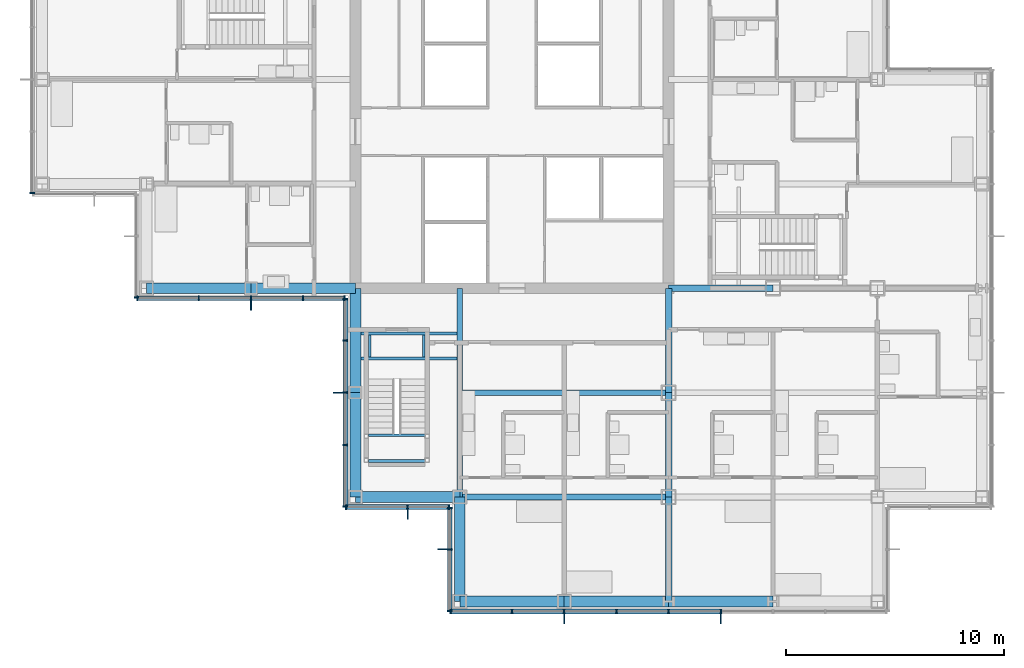
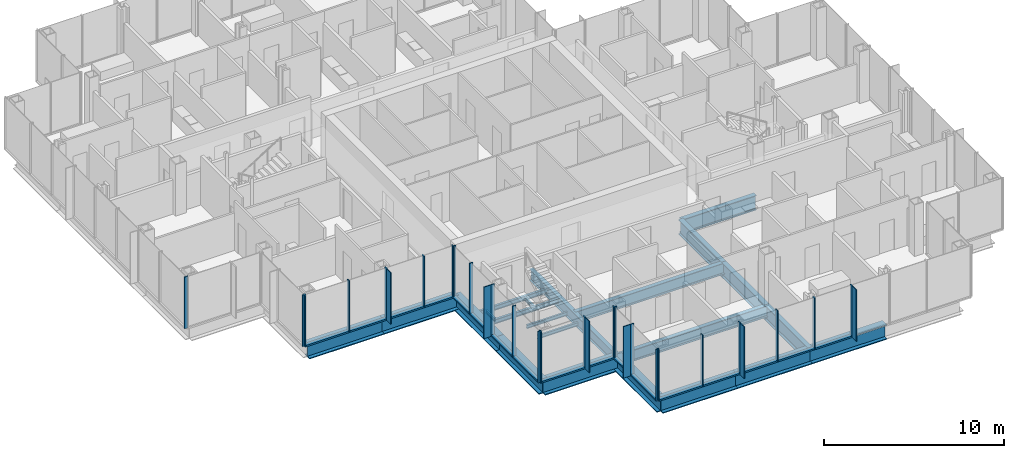
# One storey, part 6 of 19: 47 members, 22 beams, 7 elements without a shape of their own.
"""IFC4 building model written with IfcOpenShell, lengths in metres."""

from ifc_helpers import new_model, si_unit, direction, frame, origin, origin_2d, place, context, subcontext, project, spatial, rectangle, i_section, extrude, material, material_profile, profile_set, type_object, element, aggregate, save


model = new_model("IFC4")

# Units and contexts
model_context = context("Model", 3, precision=1e-05, world=origin(), true_north=direction((0.0, 1.0)))
body_context = subcontext(model_context, "Body", "Model", "MODEL_VIEW")
ifc_project = project(units=[si_unit("LENGTHUNIT", "METRE"), si_unit("AREAUNIT", "SQUARE_METRE"), si_unit("VOLUMEUNIT", "CUBIC_METRE"), si_unit("PLANEANGLEUNIT", "RADIAN"), si_unit("MASSUNIT", "GRAM", prefix="KILO")], contexts=[model_context])

# Site, building, storey
site_placement = place(None, origin())
site = spatial("IfcSite", under=ifc_project, at=site_placement, CompositionType="ELEMENT")
building_placement = place(site_placement, origin())
building = spatial("IfcBuilding", under=site, at=building_placement, Name="Kvirike Care Tower", CompositionType="ELEMENT")
storey_placement = place(building_placement, frame((0.0, 0.0, 87.5)))
storey = spatial("IfcBuildingStorey", under=building, at=storey_placement, Name="L23", CompositionType="ELEMENT", Elevation=87.5)

# Curtain wall, member
ifc_material_1 = material(Name="Anodised aluminium stick system", Category="aluminium")
curtain_wall_type = type_object("IfcCurtainWallType", Name="CW-B STICK CURTAIN WALL", PredefinedType="NOTDEFINED", material=ifc_material_1)
curtain_wall_1_placement = place(storey_placement, origin())
curtain_wall_1 = element("IfcCurtainWall", 1, at=curtain_wall_1_placement, inside=storey, type_object=curtain_wall_type, Name="Curtain wall L23 face 14", PredefinedType="NOTDEFINED")
ifc_material_2 = material(Name="Bronze anodised aluminium fin", Category="aluminium")
ifc_material_profile_1 = material_profile(ifc_material_2, rectangle(XDim=0.050048828125, YDim=0.449951171875, at=origin_2d()), Name="BRONZE FIN 450")
ifc_profile_set_1 = profile_set([ifc_material_profile_1], Name="Bronze anodised aluminium fin")
member_type_1 = type_object("IfcMemberType", Name="BRONZE FIN 450", PredefinedType="USERDEFINED", material=ifc_profile_set_1)
member_1_placement = place(storey_placement, frame((9.60009765625, 28.0048828125, 0.0), z_axis=(0.0, 0.0, 1.0), x_axis=(1.0, 0.0, 0.0)))
member_1 = element("IfcMember", 2, at=member_1_placement, type_object=member_type_1, Name="Bronze fin L23 face 14.3", ObjectType="FIN", PredefinedType="USERDEFINED", context=body_context, shape_type="SweptSolid", body=[
    extrude(rectangle(XDim=0.050048828125, YDim=0.449951171875, at=origin_2d()), origin(), (0.0, 0.0, 1.0), 3.5),
])

curtain_wall_2_placement = place(storey_placement, origin())
curtain_wall_2 = element("IfcCurtainWall", 3, at=curtain_wall_2_placement, inside=storey, type_object=curtain_wall_type, Name="Curtain wall L23 face 15", PredefinedType="NOTDEFINED")
member_2_placement = place(storey_placement, frame((13.60498046875, 24.0, 0.0), z_axis=(0.0, 0.0, 1.0), x_axis=(0.0, -1.0, 0.0)))
member_2 = element("IfcMember", 4, at=member_2_placement, type_object=member_type_1, Name="Bronze fin L23 face 15.3", ObjectType="FIN", PredefinedType="USERDEFINED", context=body_context, shape_type="SweptSolid", body=[
    extrude(rectangle(XDim=0.050048828125, YDim=0.449951171875, at=origin_2d()), origin(), (0.0, 0.0, 1.0), 3.5),
])

curtain_wall_3_placement = place(storey_placement, origin())
curtain_wall_3 = element("IfcCurtainWall", 5, at=curtain_wall_3_placement, inside=storey, type_object=curtain_wall_type, Name="Curtain wall L23 face 16", PredefinedType="NOTDEFINED")
member_3_placement = place(storey_placement, frame((16.800048828125, 18.405029296875, 0.0), z_axis=(0.0, 0.0, 1.0), x_axis=(1.0, 0.0, 0.0)))
member_3 = element("IfcMember", 6, at=member_3_placement, type_object=member_type_1, Name="Bronze fin L23 face 16.2", ObjectType="FIN", PredefinedType="USERDEFINED", context=body_context, shape_type="SweptSolid", body=[
    extrude(rectangle(XDim=0.050048828125, YDim=0.449951171875, at=origin_2d()), origin(), (0.0, 0.0, 1.0), 3.5),
])

curtain_wall_4_placement = place(storey_placement, origin())
curtain_wall_4 = element("IfcCurtainWall", 7, at=curtain_wall_4_placement, inside=storey, type_object=curtain_wall_type, Name="Curtain wall L23 face 17", PredefinedType="NOTDEFINED")
member_4_placement = place(storey_placement, frame((18.405029296875, 16.800048828125, 0.0), z_axis=(0.0, 0.0, 1.0), x_axis=(0.0, -1.0, 0.0)))
member_4 = element("IfcMember", 8, at=member_4_placement, type_object=member_type_1, Name="Bronze fin L23 face 17.2", ObjectType="FIN", PredefinedType="USERDEFINED", context=body_context, shape_type="SweptSolid", body=[
    extrude(rectangle(XDim=0.050048828125, YDim=0.449951171875, at=origin_2d()), origin(), (0.0, 0.0, 1.0), 3.5),
])

# Curtain wall, members
curtain_wall_5_placement = place(storey_placement, origin())
curtain_wall_5 = element("IfcCurtainWall", 9, at=curtain_wall_5_placement, inside=storey, type_object=curtain_wall_type, Name="Curtain wall L23 face 18", PredefinedType="NOTDEFINED")
member_5_placement = place(storey_placement, frame((24.0, 13.60498046875, 0.0), z_axis=(0.0, 0.0, 1.0), x_axis=(1.0, 0.0, 0.0)))
member_5 = element("IfcMember", 10, at=member_5_placement, type_object=member_type_1, Name="Bronze fin L23 face 18.3", ObjectType="FIN", PredefinedType="USERDEFINED", context=body_context, shape_type="SweptSolid", body=[
    extrude(rectangle(XDim=0.050048828125, YDim=0.449951171875, at=origin_2d()), origin(), (0.0, 0.0, 1.0), 3.5),
])
member_6_placement = place(storey_placement, frame((31.199951171875, 13.60498046875, 0.0), z_axis=(0.0, 0.0, 1.0), x_axis=(1.0, 0.0, 0.0)))
member_6 = element("IfcMember", 11, at=member_6_placement, type_object=member_type_1, Name="Bronze fin L23 face 18.6", ObjectType="FIN", PredefinedType="USERDEFINED", context=body_context, shape_type="SweptSolid", body=[
    extrude(rectangle(XDim=0.050048828125, YDim=0.449951171875, at=origin_2d()), origin(), (0.0, 0.0, 1.0), 3.5),
])

# Curtain wall, member
curtain_wall_6_placement = place(storey_placement, origin())
curtain_wall_6 = element("IfcCurtainWall", 12, at=curtain_wall_6_placement, inside=storey, type_object=curtain_wall_type, Name="Curtain wall L23 face 11", PredefinedType="NOTDEFINED")
ifc_material_3 = material(Name="Bronze anodised aluminium mullion", Category="aluminium")
ifc_material_profile_2 = material_profile(ifc_material_3, rectangle(XDim=0.06494140625, YDim=0.219970703125, at=origin_2d()), Name="CW-B MULLION 65x220")
ifc_profile_set_2 = profile_set([ifc_material_profile_2], Name="Bronze anodised aluminium mullion")
member_type_2 = type_object("IfcMemberType", Name="CW-B MULLION 65x220", PredefinedType="MULLION", material=ifc_profile_set_2)
member_7_placement = place(storey_placement, frame((-0.4599609375, 33.172607421875, 0.0), z_axis=(0.0, 0.0, 1.0), x_axis=(0.0, -1.0, 0.0)))
member_7 = element("IfcMember", 13, at=member_7_placement, type_object=member_type_2, Name="CW-B mullion L23 face 11.9", PredefinedType="MULLION", context=body_context, shape_type="SweptSolid", body=[
    extrude(rectangle(XDim=0.06494140625, YDim=0.219970703125, at=origin_2d()), origin(), (0.0, 0.0, 1.0), 3.5),
])
aggregate(curtain_wall_6, [member_7])

curtain_wall_7_placement = place(storey_placement, origin())
curtain_wall_7 = element("IfcCurtainWall", 14, at=curtain_wall_7_placement, inside=storey, type_object=curtain_wall_type, Name="Curtain wall L23 face 13", PredefinedType="NOTDEFINED")
member_8_placement = place(storey_placement, frame((4.340087890625, 28.37255859375, 0.0), z_axis=(0.0, 0.0, 1.0), x_axis=(0.0, -1.0, 0.0)))
member_8 = element("IfcMember", 15, at=member_8_placement, type_object=member_type_2, Name="CW-B mullion L23 face 13.3", PredefinedType="MULLION", context=body_context, shape_type="SweptSolid", body=[
    extrude(rectangle(XDim=0.06494140625, YDim=0.219970703125, at=origin_2d()), origin(), (0.0, 0.0, 1.0), 3.5),
])
aggregate(curtain_wall_7, [member_8])

# Member
member_9_placement = place(storey_placement, frame((4.37255859375, 28.340087890625, 0.0), z_axis=(0.0, 0.0, 1.0), x_axis=(1.0, 0.0, 0.0)))
member_9 = element("IfcMember", 16, at=member_9_placement, type_object=member_type_2, Name="CW-B mullion L23 face 14.1", PredefinedType="MULLION", context=body_context, shape_type="SweptSolid", body=[
    extrude(rectangle(XDim=0.06494140625, YDim=0.219970703125, at=origin_2d()), origin(), (0.0, 0.0, 1.0), 3.5),
])

member_10_placement = place(storey_placement, frame((7.199951171875, 28.340087890625, 0.0), z_axis=(0.0, 0.0, 1.0), x_axis=(1.0, 0.0, 0.0)))
member_10 = element("IfcMember", 17, at=member_10_placement, type_object=member_type_2, Name="CW-B mullion L23 face 14.2", PredefinedType="MULLION", context=body_context, shape_type="SweptSolid", body=[
    extrude(rectangle(XDim=0.06494140625, YDim=0.219970703125, at=origin_2d()), origin(), (0.0, 0.0, 1.0), 3.5),
])

member_11_placement = place(storey_placement, frame((9.60009765625, 28.340087890625, 0.0), z_axis=(0.0, 0.0, 1.0), x_axis=(1.0, 0.0, 0.0)))
member_11 = element("IfcMember", 18, at=member_11_placement, type_object=member_type_2, Name="CW-B mullion L23 face 14.3", PredefinedType="MULLION", context=body_context, shape_type="SweptSolid", body=[
    extrude(rectangle(XDim=0.06494140625, YDim=0.219970703125, at=origin_2d()), origin(), (0.0, 0.0, 1.0), 3.5),
])

member_12_placement = place(storey_placement, frame((12.0, 28.340087890625, 0.0), z_axis=(0.0, 0.0, 1.0), x_axis=(1.0, 0.0, 0.0)))
member_12 = element("IfcMember", 19, at=member_12_placement, type_object=member_type_2, Name="CW-B mullion L23 face 14.4", PredefinedType="MULLION", context=body_context, shape_type="SweptSolid", body=[
    extrude(rectangle(XDim=0.06494140625, YDim=0.219970703125, at=origin_2d()), origin(), (0.0, 0.0, 1.0), 3.5),
])

member_13_placement = place(storey_placement, frame((13.907470703125, 28.340087890625, 0.0), z_axis=(0.0, 0.0, 1.0), x_axis=(1.0, 0.0, 0.0)))
member_13 = element("IfcMember", 20, at=member_13_placement, type_object=member_type_2, Name="CW-B mullion L23 face 14.5", PredefinedType="MULLION", context=body_context, shape_type="SweptSolid", body=[
    extrude(rectangle(XDim=0.06494140625, YDim=0.219970703125, at=origin_2d()), origin(), (0.0, 0.0, 1.0), 3.5),
])

member_14_placement = place(storey_placement, frame((13.93994140625, 28.3076171875, 0.0), z_axis=(0.0, 0.0, 1.0), x_axis=(0.0, -1.0, 0.0)))
member_14 = element("IfcMember", 21, at=member_14_placement, type_object=member_type_2, Name="CW-B mullion L23 face 15.1", PredefinedType="MULLION", context=body_context, shape_type="SweptSolid", body=[
    extrude(rectangle(XDim=0.06494140625, YDim=0.219970703125, at=origin_2d()), origin(), (0.0, 0.0, 1.0), 3.5),
])

member_15_placement = place(storey_placement, frame((13.93994140625, 26.39990234375, 0.0), z_axis=(0.0, 0.0, 1.0), x_axis=(0.0, -1.0, 0.0)))
member_15 = element("IfcMember", 22, at=member_15_placement, type_object=member_type_2, Name="CW-B mullion L23 face 15.2", PredefinedType="MULLION", context=body_context, shape_type="SweptSolid", body=[
    extrude(rectangle(XDim=0.06494140625, YDim=0.219970703125, at=origin_2d()), origin(), (0.0, 0.0, 1.0), 3.5),
])

member_16_placement = place(storey_placement, frame((13.93994140625, 24.0, 0.0), z_axis=(0.0, 0.0, 1.0), x_axis=(0.0, -1.0, 0.0)))
member_16 = element("IfcMember", 23, at=member_16_placement, type_object=member_type_2, Name="CW-B mullion L23 face 15.3", PredefinedType="MULLION", context=body_context, shape_type="SweptSolid", body=[
    extrude(rectangle(XDim=0.06494140625, YDim=0.219970703125, at=origin_2d()), origin(), (0.0, 0.0, 1.0), 3.5),
])

member_17_placement = place(storey_placement, frame((13.93994140625, 21.60009765625, 0.0), z_axis=(0.0, 0.0, 1.0), x_axis=(0.0, -1.0, 0.0)))
member_17 = element("IfcMember", 24, at=member_17_placement, type_object=member_type_2, Name="CW-B mullion L23 face 15.4", PredefinedType="MULLION", context=body_context, shape_type="SweptSolid", body=[
    extrude(rectangle(XDim=0.06494140625, YDim=0.219970703125, at=origin_2d()), origin(), (0.0, 0.0, 1.0), 3.5),
])

member_18_placement = place(storey_placement, frame((13.93994140625, 18.7724609375, 0.0), z_axis=(0.0, 0.0, 1.0), x_axis=(0.0, -1.0, 0.0)))
member_18 = element("IfcMember", 25, at=member_18_placement, type_object=member_type_2, Name="CW-B mullion L23 face 15.5", PredefinedType="MULLION", context=body_context, shape_type="SweptSolid", body=[
    extrude(rectangle(XDim=0.06494140625, YDim=0.219970703125, at=origin_2d()), origin(), (0.0, 0.0, 1.0), 3.5),
])

member_19_placement = place(storey_placement, frame((13.972412109375, 18.739990234375, 0.0), z_axis=(0.0, 0.0, 1.0), x_axis=(1.0, 0.0, 0.0)))
member_19 = element("IfcMember", 26, at=member_19_placement, type_object=member_type_2, Name="CW-B mullion L23 face 16.1", PredefinedType="MULLION", context=body_context, shape_type="SweptSolid", body=[
    extrude(rectangle(XDim=0.06494140625, YDim=0.219970703125, at=origin_2d()), origin(), (0.0, 0.0, 1.0), 3.5),
])

member_20_placement = place(storey_placement, frame((16.800048828125, 18.739990234375, 0.0), z_axis=(0.0, 0.0, 1.0), x_axis=(1.0, 0.0, 0.0)))
member_20 = element("IfcMember", 27, at=member_20_placement, type_object=member_type_2, Name="CW-B mullion L23 face 16.2", PredefinedType="MULLION", context=body_context, shape_type="SweptSolid", body=[
    extrude(rectangle(XDim=0.06494140625, YDim=0.219970703125, at=origin_2d()), origin(), (0.0, 0.0, 1.0), 3.5),
])

member_21_placement = place(storey_placement, frame((18.70751953125, 18.739990234375, 0.0), z_axis=(0.0, 0.0, 1.0), x_axis=(1.0, 0.0, 0.0)))
member_21 = element("IfcMember", 28, at=member_21_placement, type_object=member_type_2, Name="CW-B mullion L23 face 16.3", PredefinedType="MULLION", context=body_context, shape_type="SweptSolid", body=[
    extrude(rectangle(XDim=0.06494140625, YDim=0.219970703125, at=origin_2d()), origin(), (0.0, 0.0, 1.0), 3.5),
])

member_22_placement = place(storey_placement, frame((18.739990234375, 18.70751953125, 0.0), z_axis=(0.0, 0.0, 1.0), x_axis=(0.0, -1.0, 0.0)))
member_22 = element("IfcMember", 29, at=member_22_placement, type_object=member_type_2, Name="CW-B mullion L23 face 17.1", PredefinedType="MULLION", context=body_context, shape_type="SweptSolid", body=[
    extrude(rectangle(XDim=0.06494140625, YDim=0.219970703125, at=origin_2d()), origin(), (0.0, 0.0, 1.0), 3.5),
])

member_23_placement = place(storey_placement, frame((18.739990234375, 16.800048828125, 0.0), z_axis=(0.0, 0.0, 1.0), x_axis=(0.0, -1.0, 0.0)))
member_23 = element("IfcMember", 30, at=member_23_placement, type_object=member_type_2, Name="CW-B mullion L23 face 17.2", PredefinedType="MULLION", context=body_context, shape_type="SweptSolid", body=[
    extrude(rectangle(XDim=0.06494140625, YDim=0.219970703125, at=origin_2d()), origin(), (0.0, 0.0, 1.0), 3.5),
])

member_24_placement = place(storey_placement, frame((18.739990234375, 13.972412109375, 0.0), z_axis=(0.0, 0.0, 1.0), x_axis=(0.0, -1.0, 0.0)))
member_24 = element("IfcMember", 31, at=member_24_placement, type_object=member_type_2, Name="CW-B mullion L23 face 17.3", PredefinedType="MULLION", context=body_context, shape_type="SweptSolid", body=[
    extrude(rectangle(XDim=0.06494140625, YDim=0.219970703125, at=origin_2d()), origin(), (0.0, 0.0, 1.0), 3.5),
])

member_25_placement = place(storey_placement, frame((18.7724609375, 13.93994140625, 0.0), z_axis=(0.0, 0.0, 1.0), x_axis=(1.0, 0.0, 0.0)))
member_25 = element("IfcMember", 32, at=member_25_placement, type_object=member_type_2, Name="CW-B mullion L23 face 18.1", PredefinedType="MULLION", context=body_context, shape_type="SweptSolid", body=[
    extrude(rectangle(XDim=0.06494140625, YDim=0.219970703125, at=origin_2d()), origin(), (0.0, 0.0, 1.0), 3.5),
])

member_26_placement = place(storey_placement, frame((21.60009765625, 13.93994140625, 0.0), z_axis=(0.0, 0.0, 1.0), x_axis=(1.0, 0.0, 0.0)))
member_26 = element("IfcMember", 33, at=member_26_placement, type_object=member_type_2, Name="CW-B mullion L23 face 18.2", PredefinedType="MULLION", context=body_context, shape_type="SweptSolid", body=[
    extrude(rectangle(XDim=0.06494140625, YDim=0.219970703125, at=origin_2d()), origin(), (0.0, 0.0, 1.0), 3.5),
])

member_27_placement = place(storey_placement, frame((24.0, 13.93994140625, 0.0), z_axis=(0.0, 0.0, 1.0), x_axis=(1.0, 0.0, 0.0)))
member_27 = element("IfcMember", 34, at=member_27_placement, type_object=member_type_2, Name="CW-B mullion L23 face 18.3", PredefinedType="MULLION", context=body_context, shape_type="SweptSolid", body=[
    extrude(rectangle(XDim=0.06494140625, YDim=0.219970703125, at=origin_2d()), origin(), (0.0, 0.0, 1.0), 3.5),
])

member_28_placement = place(storey_placement, frame((26.39990234375, 13.93994140625, 0.0), z_axis=(0.0, 0.0, 1.0), x_axis=(1.0, 0.0, 0.0)))
member_28 = element("IfcMember", 35, at=member_28_placement, type_object=member_type_2, Name="CW-B mullion L23 face 18.4", PredefinedType="MULLION", context=body_context, shape_type="SweptSolid", body=[
    extrude(rectangle(XDim=0.06494140625, YDim=0.219970703125, at=origin_2d()), origin(), (0.0, 0.0, 1.0), 3.5),
])

member_29_placement = place(storey_placement, frame((28.800048828125, 13.93994140625, 0.0), z_axis=(0.0, 0.0, 1.0), x_axis=(1.0, 0.0, 0.0)))
member_29 = element("IfcMember", 36, at=member_29_placement, type_object=member_type_2, Name="CW-B mullion L23 face 18.5", PredefinedType="MULLION", context=body_context, shape_type="SweptSolid", body=[
    extrude(rectangle(XDim=0.06494140625, YDim=0.219970703125, at=origin_2d()), origin(), (0.0, 0.0, 1.0), 3.5),
])

member_30_placement = place(storey_placement, frame((31.199951171875, 13.93994140625, 0.0), z_axis=(0.0, 0.0, 1.0), x_axis=(1.0, 0.0, 0.0)))
member_30 = element("IfcMember", 37, at=member_30_placement, type_object=member_type_2, Name="CW-B mullion L23 face 18.6", PredefinedType="MULLION", context=body_context, shape_type="SweptSolid", body=[
    extrude(rectangle(XDim=0.06494140625, YDim=0.219970703125, at=origin_2d()), origin(), (0.0, 0.0, 1.0), 3.5),
])

ifc_material_4 = material(Name="Bronze anodised aluminium transom", Category="aluminium")
ifc_material_profile_3 = material_profile(ifc_material_4, rectangle(XDim=0.219970703125, YDim=0.10009765625, at=origin_2d()), Name="CW-B TRANSOM 220x100")
ifc_profile_set_3 = profile_set([ifc_material_profile_3], Name="Bronze anodised aluminium transom")
member_type_3 = type_object("IfcMemberType", Name="CW-B TRANSOM 220x100", PredefinedType="USERDEFINED", material=ifc_profile_set_3)
member_31_placement = place(storey_placement, frame((4.405029296875, 28.340087890625, 0.050048828125), z_axis=(1.0, 0.0, 0.0), x_axis=(0.0, 1.0, 0.0)))
member_31 = element("IfcMember", 38, at=member_31_placement, type_object=member_type_3, Name="CW-B sill transom L23 face 14.1", ObjectType="TRANSOM", PredefinedType="USERDEFINED", context=body_context, shape_type="SweptSolid", body=[
    extrude(rectangle(XDim=0.219970703125, YDim=0.10009765625, at=origin_2d()), origin(), (0.0, 0.0, 1.0), 2.762451171875),
])

member_32_placement = place(storey_placement, frame((7.232421875, 28.340087890625, 0.050048828125), z_axis=(1.0, 0.0, 0.0), x_axis=(0.0, 1.0, 0.0)))
member_32 = element("IfcMember", 39, at=member_32_placement, type_object=member_type_3, Name="CW-B sill transom L23 face 14.2", ObjectType="TRANSOM", PredefinedType="USERDEFINED", context=body_context, shape_type="SweptSolid", body=[
    extrude(rectangle(XDim=0.219970703125, YDim=0.10009765625, at=origin_2d()), origin(), (0.0, 0.0, 1.0), 2.3349609375),
])

member_33_placement = place(storey_placement, frame((9.632568359375, 28.340087890625, 0.050048828125), z_axis=(1.0, 0.0, 0.0), x_axis=(0.0, 1.0, 0.0)))
member_33 = element("IfcMember", 40, at=member_33_placement, type_object=member_type_3, Name="CW-B sill transom L23 face 14.3", ObjectType="TRANSOM", PredefinedType="USERDEFINED", context=body_context, shape_type="SweptSolid", body=[
    extrude(rectangle(XDim=0.219970703125, YDim=0.10009765625, at=origin_2d()), origin(), (0.0, 0.0, 1.0), 2.3349609375),
])

member_34_placement = place(storey_placement, frame((12.032470703125, 28.340087890625, 0.050048828125), z_axis=(1.0, 0.0, 0.0), x_axis=(0.0, 1.0, 0.0)))
member_34 = element("IfcMember", 41, at=member_34_placement, type_object=member_type_3, Name="CW-B sill transom L23 face 14.4", ObjectType="TRANSOM", PredefinedType="USERDEFINED", context=body_context, shape_type="SweptSolid", body=[
    extrude(rectangle(XDim=0.219970703125, YDim=0.10009765625, at=origin_2d()), origin(), (0.0, 0.0, 1.0), 1.842529296875),
])

aggregate(curtain_wall_1, [member_9, member_10, member_11, member_1, member_12, member_13, member_31, member_32, member_33, member_34])

member_35_placement = place(storey_placement, frame((13.93994140625, 28.27490234375, 0.050048828125), z_axis=(0.0, -1.0, 0.0), x_axis=(1.0, 0.0, 0.0)))
member_35 = element("IfcMember", 42, at=member_35_placement, type_object=member_type_3, Name="CW-B sill transom L23 face 15.1", ObjectType="TRANSOM", PredefinedType="USERDEFINED", context=body_context, shape_type="SweptSolid", body=[
    extrude(rectangle(XDim=0.219970703125, YDim=0.10009765625, at=origin_2d()), origin(), (0.0, 0.0, 1.0), 1.84228515625),
])

member_36_placement = place(storey_placement, frame((13.93994140625, 26.367431640625, 0.050048828125), z_axis=(0.0, -1.0, 0.0), x_axis=(1.0, 0.0, 0.0)))
member_36 = element("IfcMember", 43, at=member_36_placement, type_object=member_type_3, Name="CW-B sill transom L23 face 15.2", ObjectType="TRANSOM", PredefinedType="USERDEFINED", context=body_context, shape_type="SweptSolid", body=[
    extrude(rectangle(XDim=0.219970703125, YDim=0.10009765625, at=origin_2d()), origin(), (0.0, 0.0, 1.0), 2.3349609375),
])

member_37_placement = place(storey_placement, frame((13.93994140625, 23.967529296875, 0.050048828125), z_axis=(0.0, -1.0, 0.0), x_axis=(1.0, 0.0, 0.0)))
member_37 = element("IfcMember", 44, at=member_37_placement, type_object=member_type_3, Name="CW-B sill transom L23 face 15.3", ObjectType="TRANSOM", PredefinedType="USERDEFINED", context=body_context, shape_type="SweptSolid", body=[
    extrude(rectangle(XDim=0.219970703125, YDim=0.10009765625, at=origin_2d()), origin(), (0.0, 0.0, 1.0), 2.3349609375),
])

member_38_placement = place(storey_placement, frame((13.93994140625, 21.5673828125, 0.050048828125), z_axis=(0.0, -1.0, 0.0), x_axis=(1.0, 0.0, 0.0)))
member_38 = element("IfcMember", 45, at=member_38_placement, type_object=member_type_3, Name="CW-B sill transom L23 face 15.4", ObjectType="TRANSOM", PredefinedType="USERDEFINED", context=body_context, shape_type="SweptSolid", body=[
    extrude(rectangle(XDim=0.219970703125, YDim=0.10009765625, at=origin_2d()), origin(), (0.0, 0.0, 1.0), 2.762451171875),
])

aggregate(curtain_wall_2, [member_14, member_15, member_16, member_2, member_17, member_18, member_35, member_36, member_37, member_38])

member_39_placement = place(storey_placement, frame((14.0048828125, 18.739990234375, 0.050048828125), z_axis=(1.0, 0.0, 0.0), x_axis=(0.0, 1.0, 0.0)))
member_39 = element("IfcMember", 46, at=member_39_placement, type_object=member_type_3, Name="CW-B sill transom L23 face 16.1", ObjectType="TRANSOM", PredefinedType="USERDEFINED", context=body_context, shape_type="SweptSolid", body=[
    extrude(rectangle(XDim=0.219970703125, YDim=0.10009765625, at=origin_2d()), origin(), (0.0, 0.0, 1.0), 2.7626953125),
])

member_40_placement = place(storey_placement, frame((16.83251953125, 18.739990234375, 0.050048828125), z_axis=(1.0, 0.0, 0.0), x_axis=(0.0, 1.0, 0.0)))
member_40 = element("IfcMember", 47, at=member_40_placement, type_object=member_type_3, Name="CW-B sill transom L23 face 16.2", ObjectType="TRANSOM", PredefinedType="USERDEFINED", context=body_context, shape_type="SweptSolid", body=[
    extrude(rectangle(XDim=0.219970703125, YDim=0.10009765625, at=origin_2d()), origin(), (0.0, 0.0, 1.0), 1.842529296875),
])

aggregate(curtain_wall_3, [member_19, member_20, member_3, member_21, member_39, member_40])

member_41_placement = place(storey_placement, frame((18.739990234375, 18.675048828125, 0.050048828125), z_axis=(0.0, -1.0, 0.0), x_axis=(1.0, 0.0, 0.0)))
member_41 = element("IfcMember", 48, at=member_41_placement, type_object=member_type_3, Name="CW-B sill transom L23 face 17.1", ObjectType="TRANSOM", PredefinedType="USERDEFINED", context=body_context, shape_type="SweptSolid", body=[
    extrude(rectangle(XDim=0.219970703125, YDim=0.10009765625, at=origin_2d()), origin(), (0.0, 0.0, 1.0), 1.842529296875),
])

member_42_placement = place(storey_placement, frame((18.739990234375, 16.767578125, 0.050048828125), z_axis=(0.0, -1.0, 0.0), x_axis=(1.0, 0.0, 0.0)))
member_42 = element("IfcMember", 49, at=member_42_placement, type_object=member_type_3, Name="CW-B sill transom L23 face 17.2", ObjectType="TRANSOM", PredefinedType="USERDEFINED", context=body_context, shape_type="SweptSolid", body=[
    extrude(rectangle(XDim=0.219970703125, YDim=0.10009765625, at=origin_2d()), origin(), (0.0, 0.0, 1.0), 2.7626953125),
])

aggregate(curtain_wall_4, [member_22, member_23, member_4, member_24, member_41, member_42])

member_43_placement = place(storey_placement, frame((18.804931640625, 13.93994140625, 0.050048828125), z_axis=(1.0, 0.0, 0.0), x_axis=(0.0, 1.0, 0.0)))
member_43 = element("IfcMember", 50, at=member_43_placement, type_object=member_type_3, Name="CW-B sill transom L23 face 18.1", ObjectType="TRANSOM", PredefinedType="USERDEFINED", context=body_context, shape_type="SweptSolid", body=[
    extrude(rectangle(XDim=0.219970703125, YDim=0.10009765625, at=origin_2d()), origin(), (0.0, 0.0, 1.0), 2.762451171875),
])

member_44_placement = place(storey_placement, frame((21.632568359375, 13.93994140625, 0.050048828125), z_axis=(1.0, 0.0, 0.0), x_axis=(0.0, 1.0, 0.0)))
member_44 = element("IfcMember", 51, at=member_44_placement, type_object=member_type_3, Name="CW-B sill transom L23 face 18.2", ObjectType="TRANSOM", PredefinedType="USERDEFINED", context=body_context, shape_type="SweptSolid", body=[
    extrude(rectangle(XDim=0.219970703125, YDim=0.10009765625, at=origin_2d()), origin(), (0.0, 0.0, 1.0), 2.3349609375),
])

member_45_placement = place(storey_placement, frame((24.032470703125, 13.93994140625, 0.050048828125), z_axis=(1.0, 0.0, 0.0), x_axis=(0.0, 1.0, 0.0)))
member_45 = element("IfcMember", 52, at=member_45_placement, type_object=member_type_3, Name="CW-B sill transom L23 face 18.3", ObjectType="TRANSOM", PredefinedType="USERDEFINED", context=body_context, shape_type="SweptSolid", body=[
    extrude(rectangle(XDim=0.219970703125, YDim=0.10009765625, at=origin_2d()), origin(), (0.0, 0.0, 1.0), 2.3349609375),
])

member_46_placement = place(storey_placement, frame((26.4326171875, 13.93994140625, 0.050048828125), z_axis=(1.0, 0.0, 0.0), x_axis=(0.0, 1.0, 0.0)))
member_46 = element("IfcMember", 53, at=member_46_placement, type_object=member_type_3, Name="CW-B sill transom L23 face 18.4", ObjectType="TRANSOM", PredefinedType="USERDEFINED", context=body_context, shape_type="SweptSolid", body=[
    extrude(rectangle(XDim=0.219970703125, YDim=0.10009765625, at=origin_2d()), origin(), (0.0, 0.0, 1.0), 2.3349609375),
])

member_47_placement = place(storey_placement, frame((28.83251953125, 13.93994140625, 0.050048828125), z_axis=(1.0, 0.0, 0.0), x_axis=(0.0, 1.0, 0.0)))
member_47 = element("IfcMember", 54, at=member_47_placement, type_object=member_type_3, Name="CW-B sill transom L23 face 18.5", ObjectType="TRANSOM", PredefinedType="USERDEFINED", context=body_context, shape_type="SweptSolid", body=[
    extrude(rectangle(XDim=0.219970703125, YDim=0.10009765625, at=origin_2d()), origin(), (0.0, 0.0, 1.0), 2.3349609375),
])

aggregate(curtain_wall_5, [member_25, member_26, member_27, member_5, member_28, member_29, member_30, member_6, member_43, member_44, member_45, member_46, member_47])

# Beams
ifc_material_5 = material(Name="Steel S355", Category="steel")
ifc_material_profile_4 = material_profile(ifc_material_5, i_section(OverallWidth=0.26806640625, OverallDepth=0.77001953125, WebThickness=0.015625, FlangeThickness=0.025390625, FilletRadius=0.01708984375, at=origin_2d()), Name="IPE 750x196")
ifc_profile_set_4 = profile_set([ifc_material_profile_4], Name="Steel S355")
beam_type_1 = type_object("IfcBeamType", Name="FLOOR BEAM IPE 750x196", PredefinedType="BEAM", material=ifc_profile_set_4)
for number, where, z_axis, x_axis, name in (
    (55, (19.199951171875, 19.199951171875, -0.554931640625), (1.0, 0.0, 0.0), (0.0, 1.0, 0.0), "Floor Beam E7-E9 L23"),
    (56, (19.199951171875, 24.0, -0.554931640625), (1.0, 0.0, 0.0), (0.0, 1.0, 0.0), "Floor Beam F7-F9 L23"),
    (57, (19.199951171875, 19.199951171875, -0.554931640625), (0.0, 1.0, 0.0), (-1.0, 0.0, 0.0), "Floor Beam E7-G7 L23"),
):
    element("IfcBeam", number, at=place(storey_placement, frame(where, z_axis=z_axis, x_axis=x_axis)), inside=storey, type_object=beam_type_1, Name=name, PredefinedType="BEAM", context=body_context, shape_type="SweptSolid", body=[
        extrude(i_section(OverallWidth=0.26806640625, OverallDepth=0.77001953125, WebThickness=0.015625, FlangeThickness=0.025390625, FilletRadius=0.01708984375, at=origin_2d()), origin(), (0.0, 0.0, 1.0), 9.60009765625),
    ])
ifc_material_6 = material(Name="Steel S355", Category="steel")
ifc_material_profile_5 = material_profile(ifc_material_6, i_section(OverallWidth=0.300048828125, OverallDepth=1.0, WebThickness=0.01904296875, FlangeThickness=0.035888671875, FilletRadius=0.030029296875, at=origin_2d()), Name="HE 1000 B")
ifc_profile_set_5 = profile_set([ifc_material_profile_5], Name="Steel S355")
beam_type_2 = type_object("IfcBeamType", Name="FRAME BEAM HE 1000 B", PredefinedType="BEAM", material=ifc_profile_set_5)
for number, where, z_axis, x_axis, name in (
    (58, (28.800048828125, 28.800048828125, -0.669921875), (1.0, 0.0, 0.0), (0.0, 1.0, 0.0), "Frame Beam G9-G10 L23"),
    (59, (28.800048828125, 14.39990234375, -0.669921875), (0.0, 1.0, 0.0), (-1.0, 0.0, 0.0), "Frame Beam D9-E9 L23"),
    (60, (28.800048828125, 19.199951171875, -0.669921875), (0.0, 1.0, 0.0), (-1.0, 0.0, 0.0), "Frame Beam E9-F9 L23"),
    (61, (28.800048828125, 24.0, -0.669921875), (0.0, 1.0, 0.0), (-1.0, 0.0, 0.0), "Frame Beam F9-G9 L23"),
):
    element("IfcBeam", number, at=place(storey_placement, frame(where, z_axis=z_axis, x_axis=x_axis)), inside=storey, type_object=beam_type_2, Name=name, PredefinedType="BEAM", context=body_context, shape_type="SweptSolid", body=[
        extrude(i_section(OverallWidth=0.300048828125, OverallDepth=1.0, WebThickness=0.01904296875, FlangeThickness=0.035888671875, FilletRadius=0.030029296875, at=origin_2d()), origin(), (0.0, 0.0, 1.0), 4.800048828125),
    ])
ifc_material_7 = material(Name="Steel S355", Category="steel")
ifc_material_profile_6 = material_profile(ifc_material_7, i_section(OverallWidth=0.5, OverallDepth=1.0, WebThickness=0.030029296875, FlangeThickness=0.06005859375, at=origin_2d()), Name="PG 1000x500x30x60")
ifc_profile_set_6 = profile_set([ifc_material_profile_6], Name="Steel S355")
beam_type_3 = type_object("IfcBeamType", Name="SPANDREL PG 1000x500x30x60", PredefinedType="SPANDREL", material=ifc_profile_set_6)
for number, where, z_axis, x_axis, name in (
    (62, (19.199951171875, 14.39990234375, -0.669921875), (1.0, 0.0, 0.0), (0.0, 1.0, 0.0), "Spandrel D7-D8 L23"),
    (63, (24.0, 14.39990234375, -0.669921875), (1.0, 0.0, 0.0), (0.0, 1.0, 0.0), "Spandrel D8-D9 L23"),
    (64, (28.800048828125, 14.39990234375, -0.669921875), (1.0, 0.0, 0.0), (0.0, 1.0, 0.0), "Spandrel D9-D10 L23"),
    (65, (14.39990234375, 19.199951171875, -0.669921875), (1.0, 0.0, 0.0), (0.0, 1.0, 0.0), "Spandrel E6-E7 L23"),
    (66, (4.800048828125, 28.800048828125, -0.669921875), (1.0, 0.0, 0.0), (0.0, 1.0, 0.0), "Spandrel G4-G5 L23"),
):
    element("IfcBeam", number, at=place(storey_placement, frame(where, z_axis=z_axis, x_axis=x_axis)), inside=storey, type_object=beam_type_3, Name=name, PredefinedType="SPANDREL", context=body_context, shape_type="SweptSolid", body=[
        extrude(i_section(OverallWidth=0.5, OverallDepth=1.0, WebThickness=0.030029296875, FlangeThickness=0.06005859375, at=origin_2d()), origin(), (0.0, 0.0, 1.0), 4.800048828125),
    ])
beam_placement = place(storey_placement, frame((9.60009765625, 28.800048828125, -0.669921875), z_axis=(1.0, 0.0, 0.0), x_axis=(0.0, 1.0, 0.0)))
element("IfcBeam", 67, at=beam_placement, inside=storey, type_object=beam_type_3, Name="Spandrel G5-G6 L23", PredefinedType="SPANDREL", context=body_context, shape_type="SweptSolid", body=[
    extrude(i_section(OverallWidth=0.5, OverallDepth=1.0, WebThickness=0.030029296875, FlangeThickness=0.06005859375, at=origin_2d()), origin(), (0.0, 0.0, 1.0), 4.7998046875),
])
for number, where, z_axis, x_axis, name in (
    (68, (14.39990234375, 19.199951171875, -0.669921875), (0.0, 1.0, 0.0), (-1.0, 0.0, 0.0), "Spandrel E6-F6 L23"),
    (69, (14.39990234375, 24.0, -0.669921875), (0.0, 1.0, 0.0), (-1.0, 0.0, 0.0), "Spandrel F6-G6 L23"),
    (70, (19.199951171875, 14.39990234375, -0.669921875), (0.0, 1.0, 0.0), (-1.0, 0.0, 0.0), "Spandrel D7-E7 L23"),
):
    element("IfcBeam", number, at=place(storey_placement, frame(where, z_axis=z_axis, x_axis=x_axis)), inside=storey, type_object=beam_type_3, Name=name, PredefinedType="SPANDREL", context=body_context, shape_type="SweptSolid", body=[
        extrude(i_section(OverallWidth=0.5, OverallDepth=1.0, WebThickness=0.030029296875, FlangeThickness=0.06005859375, at=origin_2d()), origin(), (0.0, 0.0, 1.0), 4.800048828125),
    ])
ifc_material_8 = material(Name="Steel S355", Category="steel")
ifc_material_profile_7 = material_profile(ifc_material_8, i_section(OverallWidth=0.1201171875, OverallDepth=0.239990234375, WebThickness=0.006103515625, FlangeThickness=0.009765625, FilletRadius=0.014892578125, at=origin_2d()), Name="IPE 240")
ifc_profile_set_7 = profile_set([ifc_material_profile_7], Name="Steel S355")
beam_type_4 = type_object("IfcBeamType", Name="STAIR LANDING BEAM IPE 240", PredefinedType="BEAM", material=ifc_profile_set_7)
for number, where, z_axis, x_axis, name in (
    (71, (15.0, 20.860107421875, 1.429931640625), (1.0, 0.0, 0.0), (0.0, 1.0, 0.0), "Stair 5 landing beam back L23"),
    (72, (15.0, 22.0400390625, 1.429931640625), (1.0, 0.0, 0.0), (0.0, 1.0, 0.0), "Stair 5 landing beam front L23"),
):
    element("IfcBeam", number, at=place(storey_placement, frame(where, z_axis=z_axis, x_axis=x_axis)), inside=storey, type_object=beam_type_4, Name=name, PredefinedType="BEAM", context=body_context, shape_type="SweptSolid", body=[
        extrude(i_section(OverallWidth=0.1201171875, OverallDepth=0.239990234375, WebThickness=0.006103515625, FlangeThickness=0.009765625, FilletRadius=0.014892578125, at=origin_2d()), origin(), (0.0, 0.0, 1.0), 2.60009765625),
    ])
for number, where, z_axis, x_axis, name in (
    (73, (15.06005859375, 25.64990234375, -0.320068359375), (0.0, 1.0, 0.0), (-1.0, 0.0, 0.0), "Stair 5 landing edge beam 1 L23"),
    (74, (17.5400390625, 25.64990234375, -0.320068359375), (0.0, 1.0, 0.0), (-1.0, 0.0, 0.0), "Stair 5 landing edge beam 2 L23"),
):
    element("IfcBeam", number, at=place(storey_placement, frame(where, z_axis=z_axis, x_axis=x_axis)), inside=storey, type_object=beam_type_4, Name=name, PredefinedType="BEAM", context=body_context, shape_type="SweptSolid", body=[
        extrude(i_section(OverallWidth=0.1201171875, OverallDepth=0.239990234375, WebThickness=0.006103515625, FlangeThickness=0.009765625, FilletRadius=0.014892578125, at=origin_2d()), origin(), (0.0, 0.0, 1.0), 1.0),
    ])
ifc_material_9 = material(Name="Steel S355", Category="steel")
ifc_material_profile_8 = material_profile(ifc_material_9, i_section(OverallWidth=0.14990234375, OverallDepth=0.300048828125, WebThickness=0.007080078125, FlangeThickness=0.0107421875, FilletRadius=0.014892578125, at=origin_2d()), Name="IPE 300")
ifc_profile_set_8 = profile_set([ifc_material_profile_8], Name="Steel S355")
beam_type_5 = type_object("IfcBeamType", Name="STAIR TRIMMER IPE 300", PredefinedType="BEAM", material=ifc_profile_set_8)
for number, where, z_axis, x_axis, name in (
    (75, (14.64990234375, 25.574951171875, -0.35009765625), (1.0, 0.0, 0.0), (0.0, 1.0, 0.0), "Stair 5 trimmer 1 L23"),
    (76, (14.64990234375, 26.72509765625, -0.35009765625), (1.0, 0.0, 0.0), (0.0, 1.0, 0.0), "Stair 5 trimmer 2 L23"),
):
    element("IfcBeam", number, at=place(storey_placement, frame(where, z_axis=z_axis, x_axis=x_axis)), inside=storey, type_object=beam_type_5, Name=name, PredefinedType="BEAM", context=body_context, shape_type="SweptSolid", body=[
        extrude(i_section(OverallWidth=0.14990234375, OverallDepth=0.300048828125, WebThickness=0.007080078125, FlangeThickness=0.0107421875, FilletRadius=0.014892578125, at=origin_2d()), origin(), (0.0, 0.0, 1.0), 4.416015625),
    ])

save(model, "model.ifc")
